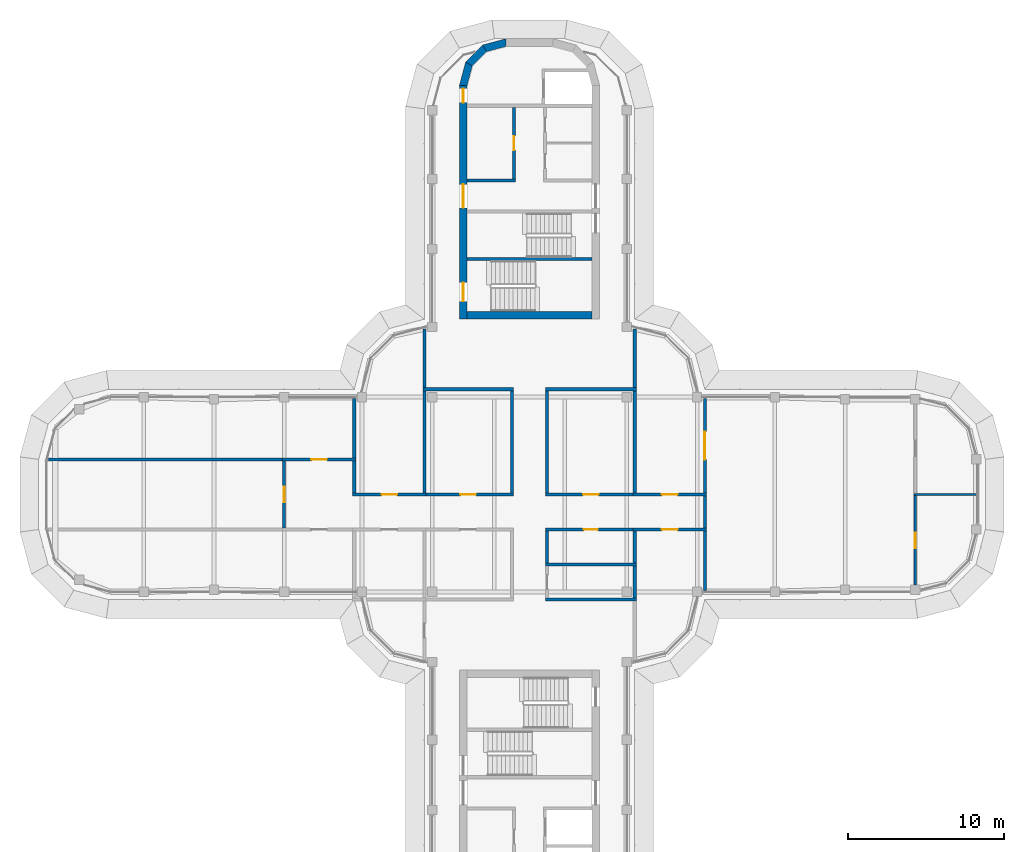
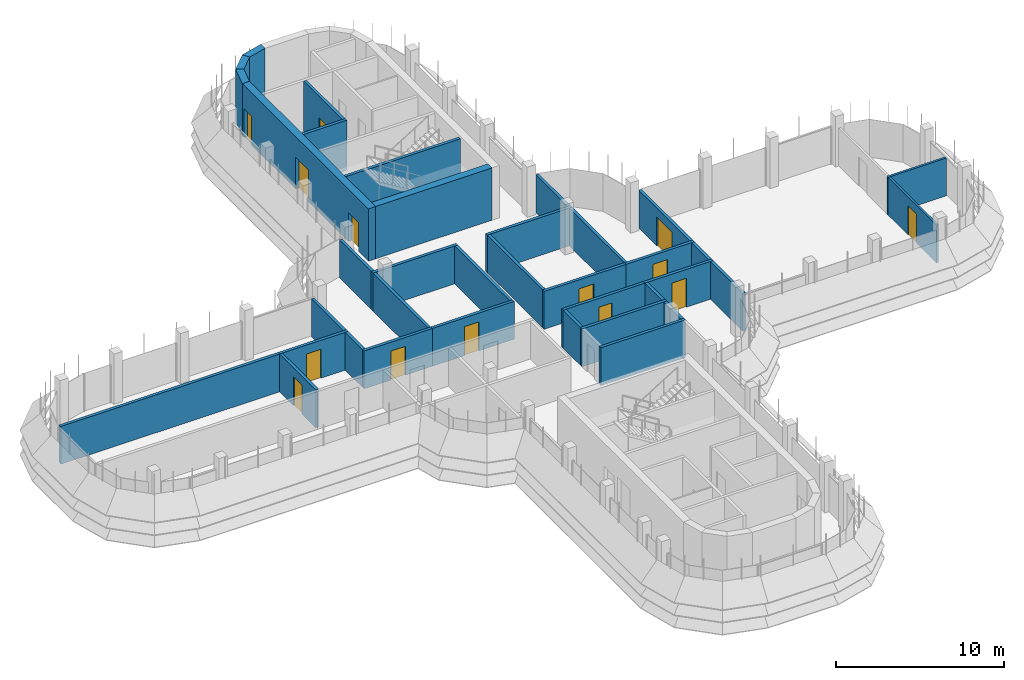
# One storey, part 14 of 19: 37 walls, 14 doors, 14 openings.
"""IFC4 building model written with IfcOpenShell, lengths in metres."""

import ifcopenshell
import ifcopenshell.guid

model = None  # the IFC model being written
_history = None  # IfcOwnerHistory: only IFC2X3 demands one
_inside = {}  # id of a spatial element -> (the spatial element, [elements in it])
_under = {}  # id of a project, library or spatial element -> (it, [spatial elements below it])
_declared = {}  # id of a project -> (the project, [libraries it declares])
_typed = {}  # id of a type object -> (the type object, [elements of that type])
_made_of = {}  # id of a material, layer set ... -> (it, [elements and type objects made of it])


def new_model(schema):
    """Start an empty IFC model of exactly this schema.

    Asked for "IFC4X3", IfcOpenShell would pick the latest addendum, in which some entities
    have other attributes; the version numbers below select the first issue.
    IFC2X3 requires an IfcOwnerHistory on every rooted entity: one is made here for all.
    """
    global model, _history
    if schema == "IFC4X3":
        model = ifcopenshell.file(schema_version=(4, 3, 0, 0))
    else:
        model = ifcopenshell.file(schema=schema)
    _inside.clear()
    _under.clear()
    _declared.clear()
    _typed.clear()
    _made_of.clear()
    _history = None
    if model.schema == "IFC2X3":
        org = make("IfcOrganization", Name="unknown")
        user = make(
            "IfcPersonAndOrganization",
            ThePerson=make("IfcPerson", FamilyName="unknown"),
            TheOrganization=org,
        )
        app = make(
            "IfcApplication",
            ApplicationDeveloper=org,
            Version="unknown",
            ApplicationFullName="unknown",
            ApplicationIdentifier="unknown",
        )
        _history = make(
            "IfcOwnerHistory",
            OwningUser=user,
            OwningApplication=app,
            ChangeAction="ADDED",
            CreationDate=0,
        )
    return model


def make(cls, **values):
    """One entity of the class cls with the attributes given. An attribute that is None is left unset."""
    return model.create_entity(
        cls, **{name: value for name, value in values.items() if value is not None}
    )


def rooted(cls, **values):
    """An entity with a GlobalId (a new one), such as an element, a storey or a relation."""
    return make(cls, GlobalId=ifcopenshell.guid.new(), OwnerHistory=_history, **values)


def si_unit(unit_type, name, prefix=None):
    """IfcSIUnit, for example si_unit("LENGTHUNIT", "METRE", prefix="MILLI")."""
    return make("IfcSIUnit", UnitType=unit_type, Prefix=prefix, Name=name)


def assignment(units):
    """IfcUnitAssignment: the units of a project."""
    return None if units is None else make("IfcUnitAssignment", Units=units)


def point(xyz):
    """IfcCartesianPoint."""
    return None if xyz is None else make("IfcCartesianPoint", Coordinates=xyz)


def direction(xyz):
    """IfcDirection."""
    return None if xyz is None else make("IfcDirection", DirectionRatios=xyz)


def frame(location, z_axis=None, x_axis=None):
    """IfcAxis2Placement3D, a coordinate frame: its origin and axes. An axis left out is left unset."""
    return make(
        "IfcAxis2Placement3D",
        Location=point(location),
        Axis=direction(z_axis),
        RefDirection=direction(x_axis),
    )


def frame_2d(location, x_axis=None):
    """IfcAxis2Placement2D, a coordinate frame in the plane: its origin and x axis."""
    return make(
        "IfcAxis2Placement2D", Location=point(location), RefDirection=direction(x_axis)
    )


def origin():
    """The frame at (0, 0, 0) with its axes left unset."""
    return frame((0.0, 0.0, 0.0))


def place(relative_to, where):
    """IfcLocalPlacement: puts the frame where relative to a parent placement (None: the world)."""
    return make(
        "IfcLocalPlacement", PlacementRelTo=relative_to, RelativePlacement=where
    )


def context(
    kind, dimensions, precision=None, world=None, true_north=None, identifier=None
):
    """IfcGeometricRepresentationContext, for example the 3D "Model" context."""
    return make(
        "IfcGeometricRepresentationContext",
        ContextIdentifier=identifier,
        ContextType=kind,
        CoordinateSpaceDimension=dimensions,
        Precision=precision,
        WorldCoordinateSystem=world,
        TrueNorth=true_north,
    )


def subcontext(parent, identifier, kind, view, scale=None):
    """IfcGeometricRepresentationSubContext, for example "Body" below "Model"."""
    return make(
        "IfcGeometricRepresentationSubContext",
        ContextIdentifier=identifier,
        ContextType=kind,
        ParentContext=parent,
        TargetScale=scale,
        TargetView=view,
    )


def project(units=None, contexts=None):
    """IfcProject with its units and contexts."""
    return rooted(
        "IfcProject",
        Name="project",
        RepresentationContexts=contexts,
        UnitsInContext=assignment(units),
    )


def spatial(cls, under=None, at=None, **own):
    """A site, building, storey or space (cls), placed at a placement, below another one or the project."""
    s = rooted(cls, ObjectPlacement=at, **own)
    if under is not None:
        _under.setdefault(under.id(), (under, []))[1].append(s)
    return s


def polyline(points):
    """IfcPolyline through the points."""
    return make("IfcPolyline", Points=[point(p) for p in points])


def profile(cls, at=None, kind="AREA", **sizes):
    """A parametric profile (cls). Its sizes go by their IFC names, for example OverallWidth=200.0."""
    return make(cls, ProfileType=kind, Position=at, **sizes)


def rectangle(**sizes):
    """IfcRectangleProfileDef."""
    return profile("IfcRectangleProfileDef", **sizes)


def outline(outer, holes=None, kind="AREA"):
    """IfcArbitraryClosedProfileDef: a profile drawn as a closed curve; with holes, ...WithVoids."""
    if holes is None:
        return make("IfcArbitraryClosedProfileDef", ProfileType=kind, OuterCurve=outer)
    return make(
        "IfcArbitraryProfileDefWithVoids",
        ProfileType=kind,
        OuterCurve=outer,
        InnerCurves=holes,
    )


def extrude(swept, where, along, depth):
    """IfcExtrudedAreaSolid: the profile swept, set in the frame where, extruded along a direction by depth."""
    return make(
        "IfcExtrudedAreaSolid",
        SweptArea=swept,
        Position=where,
        ExtrudedDirection=direction(along),
        Depth=depth,
    )


def shape(context_of_items, identifier, shape_type, items):
    """IfcShapeRepresentation: the items that make up one representation, for example the "Body"."""
    return make(
        "IfcShapeRepresentation",
        ContextOfItems=context_of_items,
        RepresentationIdentifier=identifier,
        RepresentationType=shape_type,
        Items=items,
    )


def material(Name=None, Category=None):
    """IfcMaterial."""
    return make("IfcMaterial", Name=Name, Category=Category)


def layer(
    of_material, thickness, ventilated=None, Name=None, Category=None, Priority=None
):
    """IfcMaterialLayer: one layer of a wall or slab, of a material (None: an air gap)."""
    return make(
        "IfcMaterialLayer",
        Material=of_material,
        LayerThickness=thickness,
        IsVentilated=ventilated,
        Name=Name,
        Category=Category,
        Priority=Priority,
    )


def layer_set(layers, Name=None):
    """IfcMaterialLayerSet."""
    return make("IfcMaterialLayerSet", MaterialLayers=layers, LayerSetName=Name)


def made_of(thing, what):
    """Note that an element or type object is made of a material, layer set ...; save() writes the relation."""
    if what is not None:
        _made_of.setdefault(what.id(), (what, []))[1].append(thing)
    return thing


def type_object(cls, material=None, **own):
    """A type object (cls), such as IfcWallType, which elements share."""
    return made_of(rooted(cls, **own), material)


def element(
    cls,
    number,
    at=None,
    inside=None,
    cuts=None,
    type_object=None,
    material=None,
    context=None,
    identifier="Body",
    shape_type=None,
    held_by="IfcProductDefinitionShape",
    body=None,
    shapes=None,
    **own,
):
    """One element of the class cls, such as IfcWall. Its Tag is "e" and its number.

    at: its placement. inside: the storey or other place that contains it. cuts: it is an
    opening in that element (IfcRelVoidsElement). A single representation is given by context,
    identifier, shape_type and body (its items); several are given by shapes. held_by: the class
    of the entity that holds the representations. save() writes the other relations.
    """
    e = rooted(cls, Tag="e%d" % number, ObjectPlacement=at, **own)
    if body is not None:
        shapes = [shape(context, identifier, shape_type, body)]
    if shapes is not None:
        e.Representation = make(held_by, Representations=shapes)
    if inside is not None:
        _inside.setdefault(inside.id(), (inside, []))[1].append(e)
    if cuts is not None:
        rooted(
            "IfcRelVoidsElement", RelatingBuildingElement=cuts, RelatedOpeningElement=e
        )
    if type_object is not None:
        _typed.setdefault(type_object.id(), (type_object, []))[1].append(e)
    return made_of(e, material)


def fill(opening, filler):
    """IfcRelFillsElement: the door or window that sits in an opening."""
    return rooted(
        "IfcRelFillsElement",
        RelatingOpeningElement=opening,
        RelatedBuildingElement=filler,
    )


def aggregate(whole, parts):
    """IfcRelAggregates: a whole, such as a stair, and the parts it consists of."""
    return rooted("IfcRelAggregates", RelatingObject=whole, RelatedObjects=parts)


def save(model, path):
    """Write the relations noted so far, then the file.

    IfcRelAggregates (storeys below a building ...), IfcRelContainedInSpatialStructure (elements
    in a storey), IfcRelDefinesByType, IfcRelAssociatesMaterial and IfcRelDeclares: one each for
    every whole, place, type object, material and project.
    """
    for whole, parts in _under.values():
        aggregate(whole, parts)
    for where, things in _inside.values():
        rooted(
            "IfcRelContainedInSpatialStructure",
            RelatedElements=things,
            RelatingStructure=where,
        )
    for kind, things in _typed.values():
        rooted("IfcRelDefinesByType", RelatedObjects=things, RelatingType=kind)
    for what, things in _made_of.values():
        rooted("IfcRelAssociatesMaterial", RelatedObjects=things, RelatingMaterial=what)
    for by, libraries in _declared.values():
        rooted("IfcRelDeclares", RelatingContext=by, RelatedDefinitions=libraries)
    model.write(path)


model = new_model("IFC4")

# Units and contexts
model_context = context("Model", 3, precision=1e-05, world=origin(), true_north=direction((0.0, 1.0)))
body_context = subcontext(model_context, "Body", "Model", "MODEL_VIEW")
ifc_project = project(units=[si_unit("LENGTHUNIT", "METRE"), si_unit("AREAUNIT", "SQUARE_METRE"), si_unit("VOLUMEUNIT", "CUBIC_METRE"), si_unit("PLANEANGLEUNIT", "RADIAN"), si_unit("MASSUNIT", "GRAM", prefix="KILO")], contexts=[model_context])

# Site, building, storey
site_placement = place(None, origin())
site = spatial("IfcSite", under=ifc_project, at=site_placement, CompositionType="ELEMENT")
building_placement = place(site_placement, origin())
building = spatial("IfcBuilding", under=site, at=building_placement, Name="Zarbagh Exchange Tower", CompositionType="ELEMENT")
storey_placement = place(building_placement, frame((0.0, 0.0, 280.199951171875)))
storey = spatial("IfcBuildingStorey", under=building, at=storey_placement, Name="L69", CompositionType="ELEMENT", Elevation=280.199951171875)

# Wall, opening, door
ifc_material_1 = material(Name="Plasterboard partition")
ifc_layer_1 = layer(ifc_material_1, 0.14990234375)
ifc_layer_set_1 = layer_set([ifc_layer_1], Name="PARTITION 150")
wall_type_1 = type_object("IfcWallType", Name="PARTITION 150", PredefinedType="PARTITIONING", material=ifc_layer_set_1)
wall_1_placement = place(storey_placement, frame((24.75, -0.074951171875, 0.0), z_axis=(0.0, 0.0, 1.0), x_axis=(0.0, -1.0, 0.0)))
wall_1 = element("IfcWall", 1, at=wall_1_placement, inside=storey, type_object=wall_type_1, Name="Partition W-2936", PredefinedType="PARTITIONING", context=body_context, shape_type="SweptSolid", body=[
    extrude(rectangle(XDim=5.735107421875, YDim=0.14990234375, at=frame_2d((2.86767578125, 0.0))), origin(), (0.0, 0.0, 1.0), 2.75),
])
opening_1_placement = place(wall_1_placement, frame((2.367431640625, 0.0, 0.0)))
opening_1 = element("IfcOpeningElement", 2, at=opening_1_placement, cuts=wall_1, Name="Opening D-2902", PredefinedType="OPENING", context=body_context, shape_type="SweptSolid", body=[
    extrude(rectangle(XDim=1.0, YDim=2.10009765625, at=frame_2d((0.5, 1.050048828125))), frame((0.0, 0.0849609375, 0.0), z_axis=(0.0, -1.0, 0.0), x_axis=(1.0, 0.0, 0.0)), (0.0, 0.0, 1.0), 0.169921875),
])
ifc_material_2 = material(Name="Timber door leaf", Category="wood")
door_type_1 = type_object("IfcDoorType", Name="DOOR 1000 X 2100", OperationType="NOTDEFINED", PredefinedType="DOOR", material=ifc_material_2)
door_1_placement = place(opening_1_placement, origin())
door_1 = element("IfcDoor", 3, at=door_1_placement, inside=storey, type_object=door_type_1, Name="Door D-2902", OperationType="SINGLE_SWING_RIGHT", OverallHeight=2.10009765625, OverallWidth=1.0, PredefinedType="DOOR", context=body_context, shape_type="SweptSolid", body=[
    extrude(rectangle(XDim=1.0, YDim=2.10009765625, at=frame_2d((0.5, 1.050048828125))), frame((0.0, 0.02490234375, 0.0), z_axis=(0.0, -1.0, 0.0), x_axis=(1.0, 0.0, 0.0)), (0.0, 0.0, 1.0), 0.050048828125),
])
fill(opening_1, door_1)

# Wall
wall_2_placement = place(storey_placement, frame((24.675048828125, 0.0, 0.0), z_axis=(0.0, 0.0, 1.0), x_axis=(1.0, 0.0, 0.0)))
element("IfcWall", 4, at=wall_2_placement, inside=storey, type_object=wall_type_1, Name="Partition W-2937", PredefinedType="PARTITIONING", context=body_context, shape_type="SweptSolid", body=[
    extrude(rectangle(XDim=3.994873046875, YDim=0.14990234375, at=frame_2d((1.99755859375, 0.0))), origin(), (0.0, 0.0, 1.0), 2.75),
])

# Wall, opening, door
ifc_material_3 = material(Name="Fire-rated plasterboard partition")
ifc_layer_2 = layer(ifc_material_3, 0.199951171875)
ifc_layer_set_2 = layer_set([ifc_layer_2], Name="RATED PARTITION 200")
wall_type_2 = type_object("IfcWallType", Name="RATED PARTITION 200", PredefinedType="PARTITIONING", material=ifc_layer_set_2)
wall_3_placement = place(storey_placement, frame((1.02490234375, 0.0, 0.0), z_axis=(0.0, 0.0, 1.0), x_axis=(1.0, 0.0, 0.0)))
wall_3 = element("IfcWall", 5, at=wall_3_placement, inside=storey, type_object=wall_type_2, Name="Partition W-2901", PredefinedType="PARTITIONING", context=body_context, shape_type="SweptSolid", body=[
    extrude(rectangle(XDim=5.8251953125, YDim=0.199951171875, at=frame_2d((2.91259765625, 0.0))), origin(), (0.0, 0.0, 1.0), 2.75),
])
opening_2_placement = place(wall_3_placement, frame((2.41259765625, 0.0, 0.0)))
opening_2 = element("IfcOpeningElement", 6, at=opening_2_placement, cuts=wall_3, Name="Opening D-2904", PredefinedType="OPENING", context=body_context, shape_type="SweptSolid", body=[
    extrude(rectangle(XDim=1.0, YDim=2.10009765625, at=frame_2d((0.5, 1.050048828125))), frame((0.0, 0.10986328125, 0.0), z_axis=(0.0, -1.0, 0.0), x_axis=(1.0, 0.0, 0.0)), (0.0, 0.0, 1.0), 0.219970703125),
])
ifc_material_4 = material(Name="Steel door set", Category="steel")
door_type_2 = type_object("IfcDoorType", Name="FIRE DOOR 1000 X 2100 FD30S", OperationType="NOTDEFINED", PredefinedType="DOOR", material=ifc_material_4)
door_2_placement = place(opening_2_placement, origin())
door_2 = element("IfcDoor", 7, at=door_2_placement, inside=storey, type_object=door_type_2, Name="Door D-2904", OperationType="SINGLE_SWING_RIGHT", OverallHeight=2.10009765625, OverallWidth=1.0, PredefinedType="DOOR", context=body_context, shape_type="SweptSolid", body=[
    extrude(rectangle(XDim=1.0, YDim=2.10009765625, at=frame_2d((0.5, 1.050048828125))), frame((0.0, 0.02490234375, 0.0), z_axis=(0.0, -1.0, 0.0), x_axis=(1.0, 0.0, 0.0)), (0.0, 0.0, 1.0), 0.050048828125),
])
fill(opening_2, door_2)

wall_4_placement = place(storey_placement, frame((6.64990234375, 0.0, 0.0), z_axis=(0.0, 0.0, 1.0), x_axis=(1.0, 0.0, 0.0)))
wall_4 = element("IfcWall", 8, at=wall_4_placement, inside=storey, type_object=wall_type_2, Name="Partition W-2902", PredefinedType="PARTITIONING", context=body_context, shape_type="SweptSolid", body=[
    extrude(rectangle(XDim=4.7001953125, YDim=0.199951171875, at=frame_2d((2.35009765625, 0.0))), origin(), (0.0, 0.0, 1.0), 2.75),
])
opening_3_placement = place(wall_4_placement, frame((1.85009765625, 0.0, 0.0)))
opening_3 = element("IfcOpeningElement", 9, at=opening_3_placement, cuts=wall_4, Name="Opening D-2905", PredefinedType="OPENING", context=body_context, shape_type="SweptSolid", body=[
    extrude(rectangle(XDim=1.0, YDim=2.10009765625, at=frame_2d((0.5, 1.050048828125))), frame((0.0, 0.10986328125, 0.0), z_axis=(0.0, -1.0, 0.0), x_axis=(1.0, 0.0, 0.0)), (0.0, 0.0, 1.0), 0.219970703125),
])
door_3_placement = place(opening_3_placement, origin())
door_3 = element("IfcDoor", 10, at=door_3_placement, inside=storey, type_object=door_type_2, Name="Door D-2905", OperationType="SINGLE_SWING_RIGHT", OverallHeight=2.10009765625, OverallWidth=1.0, PredefinedType="DOOR", context=body_context, shape_type="SweptSolid", body=[
    extrude(rectangle(XDim=1.0, YDim=2.10009765625, at=frame_2d((0.5, 1.050048828125))), frame((0.0, 0.02490234375, 0.0), z_axis=(0.0, -1.0, 0.0), x_axis=(1.0, 0.0, 0.0)), (0.0, 0.0, 1.0), 0.050048828125),
])
fill(opening_3, door_3)

wall_5_placement = place(storey_placement, frame((-6.85009765625, 0.0, 0.0), z_axis=(0.0, 0.0, 1.0), x_axis=(1.0, 0.0, 0.0)))
wall_5 = element("IfcWall", 11, at=wall_5_placement, inside=storey, type_object=wall_type_2, Name="Partition W-2903", PredefinedType="PARTITIONING", context=body_context, shape_type="SweptSolid", body=[
    extrude(rectangle(XDim=5.8251953125, YDim=0.199951171875, at=frame_2d((2.91259765625, 0.0))), origin(), (0.0, 0.0, 1.0), 2.75),
])
opening_4_placement = place(wall_5_placement, frame((2.41259765625, 0.0, 0.0)))
opening_4 = element("IfcOpeningElement", 12, at=opening_4_placement, cuts=wall_5, Name="Opening D-2906", PredefinedType="OPENING", context=body_context, shape_type="SweptSolid", body=[
    extrude(rectangle(XDim=1.0, YDim=2.10009765625, at=frame_2d((0.5, 1.050048828125))), frame((0.0, 0.10986328125, 0.0), z_axis=(0.0, -1.0, 0.0), x_axis=(1.0, 0.0, 0.0)), (0.0, 0.0, 1.0), 0.219970703125),
])
door_4_placement = place(opening_4_placement, origin())
door_4 = element("IfcDoor", 13, at=door_4_placement, inside=storey, type_object=door_type_2, Name="Door D-2906", OperationType="SINGLE_SWING_RIGHT", OverallHeight=2.10009765625, OverallWidth=1.0, PredefinedType="DOOR", context=body_context, shape_type="SweptSolid", body=[
    extrude(rectangle(XDim=1.0, YDim=2.10009765625, at=frame_2d((0.5, 1.050048828125))), frame((0.0, 0.02490234375, 0.0), z_axis=(0.0, -1.0, 0.0), x_axis=(1.0, 0.0, 0.0)), (0.0, 0.0, 1.0), 0.050048828125),
])
fill(opening_4, door_4)

wall_6_placement = place(storey_placement, frame((-11.35009765625, 0.0, 0.0), z_axis=(0.0, 0.0, 1.0), x_axis=(1.0, 0.0, 0.0)))
wall_6 = element("IfcWall", 14, at=wall_6_placement, inside=storey, type_object=wall_type_2, Name="Partition W-2904", PredefinedType="PARTITIONING", context=body_context, shape_type="SweptSolid", body=[
    extrude(rectangle(XDim=4.7001953125, YDim=0.199951171875, at=frame_2d((2.35009765625, 0.0))), origin(), (0.0, 0.0, 1.0), 2.75),
])
opening_5_placement = place(wall_6_placement, frame((1.85009765625, 0.0, 0.0)))
opening_5 = element("IfcOpeningElement", 15, at=opening_5_placement, cuts=wall_6, Name="Opening D-2907", PredefinedType="OPENING", context=body_context, shape_type="SweptSolid", body=[
    extrude(rectangle(XDim=1.0, YDim=2.10009765625, at=frame_2d((0.5, 1.050048828125))), frame((0.0, 0.10986328125, 0.0), z_axis=(0.0, -1.0, 0.0), x_axis=(1.0, 0.0, 0.0)), (0.0, 0.0, 1.0), 0.219970703125),
])
door_5_placement = place(opening_5_placement, origin())
door_5 = element("IfcDoor", 16, at=door_5_placement, inside=storey, type_object=door_type_2, Name="Door D-2907", OperationType="SINGLE_SWING_RIGHT", OverallHeight=2.10009765625, OverallWidth=1.0, PredefinedType="DOOR", context=body_context, shape_type="SweptSolid", body=[
    extrude(rectangle(XDim=1.0, YDim=2.10009765625, at=frame_2d((0.5, 1.050048828125))), frame((0.0, 0.02490234375, 0.0), z_axis=(0.0, -1.0, 0.0), x_axis=(1.0, 0.0, 0.0)), (0.0, 0.0, 1.0), 0.050048828125),
])
fill(opening_5, door_5)

wall_7_placement = place(storey_placement, frame((6.85009765625, -2.25, 0.0), z_axis=(0.0, 0.0, 1.0), x_axis=(-1.0, 0.0, 0.0)))
wall_7 = element("IfcWall", 17, at=wall_7_placement, inside=storey, type_object=wall_type_2, Name="Partition W-2905", PredefinedType="PARTITIONING", context=body_context, shape_type="SweptSolid", body=[
    extrude(rectangle(XDim=5.8251953125, YDim=0.199951171875, at=frame_2d((2.91259765625, 0.0))), origin(), (0.0, 0.0, 1.0), 2.75),
])
opening_6_placement = place(wall_7_placement, frame((2.46240234375, 0.0, 0.0)))
opening_6 = element("IfcOpeningElement", 18, at=opening_6_placement, cuts=wall_7, Name="Opening D-2908", PredefinedType="OPENING", context=body_context, shape_type="SweptSolid", body=[
    extrude(rectangle(XDim=0.89990234375, YDim=2.10009765625, at=frame_2d((0.449951171875, 1.050048828125))), frame((0.0, 0.10986328125, 0.0), z_axis=(0.0, -1.0, 0.0), x_axis=(1.0, 0.0, 0.0)), (0.0, 0.0, 1.0), 0.219970703125),
])
door_type_3 = type_object("IfcDoorType", Name="DOOR 900 X 2100", OperationType="NOTDEFINED", PredefinedType="DOOR", material=ifc_material_2)
door_6_placement = place(opening_6_placement, origin())
door_6 = element("IfcDoor", 19, at=door_6_placement, inside=storey, type_object=door_type_3, Name="Door D-2908", OperationType="SINGLE_SWING_RIGHT", OverallHeight=2.10009765625, OverallWidth=0.89990234375, PredefinedType="DOOR", context=body_context, shape_type="SweptSolid", body=[
    extrude(rectangle(XDim=0.89990234375, YDim=2.10009765625, at=frame_2d((0.449951171875, 1.050048828125))), frame((0.0, 0.02490234375, 0.0), z_axis=(0.0, -1.0, 0.0), x_axis=(1.0, 0.0, 0.0)), (0.0, 0.0, 1.0), 0.050048828125),
])
fill(opening_6, door_6)

wall_8_placement = place(storey_placement, frame((11.35009765625, -2.25, 0.0), z_axis=(0.0, 0.0, 1.0), x_axis=(-1.0, 0.0, 0.0)))
wall_8 = element("IfcWall", 20, at=wall_8_placement, inside=storey, type_object=wall_type_2, Name="Partition W-2906", PredefinedType="PARTITIONING", context=body_context, shape_type="SweptSolid", body=[
    extrude(rectangle(XDim=4.7001953125, YDim=0.199951171875, at=frame_2d((2.35009765625, 0.0))), origin(), (0.0, 0.0, 1.0), 2.75),
])
opening_7_placement = place(wall_8_placement, frame((1.85009765625, 0.0, 0.0)))
opening_7 = element("IfcOpeningElement", 21, at=opening_7_placement, cuts=wall_8, Name="Opening D-2910", PredefinedType="OPENING", context=body_context, shape_type="SweptSolid", body=[
    extrude(rectangle(XDim=1.0, YDim=2.10009765625, at=frame_2d((0.5, 1.050048828125))), frame((0.0, 0.10986328125, 0.0), z_axis=(0.0, -1.0, 0.0), x_axis=(1.0, 0.0, 0.0)), (0.0, 0.0, 1.0), 0.219970703125),
])
door_7_placement = place(opening_7_placement, origin())
door_7 = element("IfcDoor", 22, at=door_7_placement, inside=storey, type_object=door_type_2, Name="Door D-2910", OperationType="SINGLE_SWING_RIGHT", OverallHeight=2.10009765625, OverallWidth=1.0, PredefinedType="DOOR", context=body_context, shape_type="SweptSolid", body=[
    extrude(rectangle(XDim=1.0, YDim=2.10009765625, at=frame_2d((0.5, 1.050048828125))), frame((0.0, 0.02490234375, 0.0), z_axis=(0.0, -1.0, 0.0), x_axis=(1.0, 0.0, 0.0)), (0.0, 0.0, 1.0), 0.050048828125),
])
fill(opening_7, door_7)

# Walls
wall_9_placement = place(storey_placement, frame((11.25, -2.14990234375, 0.0), z_axis=(0.0, 0.0, 1.0), x_axis=(0.0, 1.0, 0.0)))
element("IfcWall", 23, at=wall_9_placement, inside=storey, type_object=wall_type_2, Name="Partition W-2909", PredefinedType="PARTITIONING", context=body_context, shape_type="SweptSolid", body=[
    extrude(rectangle(XDim=2.0498046875, YDim=0.199951171875, at=frame_2d((1.02490234375, 0.0))), origin(), (0.0, 0.0, 1.0), 2.75),
])
for number, where, z_axis, x_axis, name in (
    (24, (1.125, 0.10009765625, 0.0), (0.0, 0.0, 1.0), (0.0, 1.0, 0.0), "Partition W-2910"),
    (25, (-1.125, 0.10009765625, 0.0), (0.0, 0.0, 1.0), (0.0, 1.0, 0.0), "Partition W-2911"),
):
    element("IfcWall", number, at=place(storey_placement, frame(where, z_axis=z_axis, x_axis=x_axis)), inside=storey, type_object=wall_type_2, Name=name, PredefinedType="PARTITIONING", context=body_context, shape_type="SweptSolid", body=[
        extrude(rectangle(XDim=6.5498046875, YDim=0.199951171875, at=frame_2d((3.27490234375, 0.0))), origin(), (0.0, 0.0, 1.0), 2.75),
    ])
wall_10_placement = place(storey_placement, frame((1.125, -4.39990234375, 0.0), z_axis=(0.0, 0.0, 1.0), x_axis=(0.0, 1.0, 0.0)))
element("IfcWall", 26, at=wall_10_placement, inside=storey, type_object=wall_type_2, Name="Partition W-2912", PredefinedType="PARTITIONING", context=body_context, shape_type="SweptSolid", body=[
    extrude(rectangle(XDim=2.0498046875, YDim=0.199951171875, at=frame_2d((1.02490234375, 0.0))), origin(), (0.0, 0.0, 1.0), 2.75),
])
wall_11_placement = place(storey_placement, frame((1.02490234375, 6.75, 0.0), z_axis=(0.0, 0.0, 1.0), x_axis=(1.0, 0.0, 0.0)))
element("IfcWall", 27, at=wall_11_placement, inside=storey, type_object=wall_type_2, Name="Partition W-2915", PredefinedType="PARTITIONING", context=body_context, shape_type="SweptSolid", body=[
    extrude(rectangle(XDim=5.8251953125, YDim=0.199951171875, at=frame_2d((2.91259765625, 0.0))), origin(), (0.0, 0.0, 1.0), 2.75),
])
wall_12_placement = place(storey_placement, frame((6.75, 6.85009765625, 0.0), z_axis=(0.0, 0.0, 1.0), x_axis=(0.0, 1.0, 0.0)))
element("IfcWall", 28, at=wall_12_placement, inside=storey, type_object=wall_type_2, Name="Partition W-2916", PredefinedType="PARTITIONING", context=body_context, shape_type="SweptSolid", body=[
    extrude(rectangle(XDim=3.77978515625, YDim=0.199951171875, at=frame_2d((1.889892578125, 0.0))), origin(), (0.0, 0.0, 1.0), 2.75),
])
wall_13_placement = place(storey_placement, frame((-6.85009765625, 6.75, 0.0), z_axis=(0.0, 0.0, 1.0), x_axis=(1.0, 0.0, 0.0)))
element("IfcWall", 29, at=wall_13_placement, inside=storey, type_object=wall_type_2, Name="Partition W-2917", PredefinedType="PARTITIONING", context=body_context, shape_type="SweptSolid", body=[
    extrude(rectangle(XDim=5.8251953125, YDim=0.199951171875, at=frame_2d((2.91259765625, 0.0))), origin(), (0.0, 0.0, 1.0), 2.75),
])
wall_14_placement = place(storey_placement, frame((-6.75, 6.85009765625, 0.0), z_axis=(0.0, 0.0, 1.0), x_axis=(0.0, 1.0, 0.0)))
element("IfcWall", 30, at=wall_14_placement, inside=storey, type_object=wall_type_2, Name="Partition W-2918", PredefinedType="PARTITIONING", context=body_context, shape_type="SweptSolid", body=[
    extrude(rectangle(XDim=3.77978515625, YDim=0.199951171875, at=frame_2d((1.889892578125, 0.0))), origin(), (0.0, 0.0, 1.0), 2.75),
])
wall_15_placement = place(storey_placement, frame((1.02490234375, -6.75, 0.0), z_axis=(0.0, 0.0, 1.0), x_axis=(1.0, 0.0, 0.0)))
element("IfcWall", 31, at=wall_15_placement, inside=storey, type_object=wall_type_2, Name="Partition W-2919", PredefinedType="PARTITIONING", context=body_context, shape_type="SweptSolid", body=[
    extrude(rectangle(XDim=5.8251953125, YDim=0.199951171875, at=frame_2d((2.91259765625, 0.0))), origin(), (0.0, 0.0, 1.0), 2.75),
])
wall_16_placement = place(storey_placement, frame((6.75, 0.10009765625, 0.0), z_axis=(0.0, 0.0, 1.0), x_axis=(0.0, 1.0, 0.0)))
element("IfcWall", 32, at=wall_16_placement, inside=storey, type_object=wall_type_2, Name="Partition W-2923", PredefinedType="PARTITIONING", context=body_context, shape_type="SweptSolid", body=[
    extrude(rectangle(XDim=6.5498046875, YDim=0.199951171875, at=frame_2d((3.27490234375, 0.0))), origin(), (0.0, 0.0, 1.0), 2.75),
])

# Wall, opening, door
wall_17_placement = place(storey_placement, frame((11.25, 6.169921875, 0.0), z_axis=(0.0, 0.0, 1.0), x_axis=(0.0, -1.0, 0.0)))
wall_17 = element("IfcWall", 33, at=wall_17_placement, inside=storey, type_object=wall_type_2, Name="Partition W-2924", PredefinedType="PARTITIONING", context=body_context, shape_type="SweptSolid", body=[
    extrude(rectangle(XDim=6.06982421875, YDim=0.199951171875, at=frame_2d((3.034912109375, 0.0))), origin(), (0.0, 0.0, 1.0), 2.75),
])
opening_8_placement = place(wall_17_placement, frame((2.135009765625, 0.0, 0.0)))
opening_8 = element("IfcOpeningElement", 34, at=opening_8_placement, cuts=wall_17, Name="Opening D-2903", PredefinedType="OPENING", context=body_context, shape_type="SweptSolid", body=[
    extrude(rectangle(XDim=1.800048828125, YDim=2.10009765625, at=frame_2d((0.89990234375, 1.050048828125))), frame((0.0, 0.10986328125, 0.0), z_axis=(0.0, -1.0, 0.0), x_axis=(1.0, 0.0, 0.0)), (0.0, 0.0, 1.0), 0.219970703125),
])
door_type_4 = type_object("IfcDoorType", Name="FIRE DOUBLE DOOR 1800 X 2100 FD30S", OperationType="DOUBLE_DOOR_SINGLE_SWING", PredefinedType="DOOR", material=ifc_material_4)
door_8_placement = place(opening_8_placement, origin())
door_8 = element("IfcDoor", 35, at=door_8_placement, inside=storey, type_object=door_type_4, Name="Door D-2903", OperationType="DOUBLE_DOOR_SINGLE_SWING", OverallHeight=2.10009765625, OverallWidth=1.800048828125, PredefinedType="DOOR", context=body_context, shape_type="SweptSolid", body=[
    extrude(rectangle(XDim=1.800048828125, YDim=2.10009765625, at=frame_2d((0.89990234375, 1.050048828125))), frame((0.0, 0.02490234375, 0.0), z_axis=(0.0, -1.0, 0.0), x_axis=(1.0, 0.0, 0.0)), (0.0, 0.0, 1.0), 0.050048828125),
])
fill(opening_8, door_8)

# Walls
wall_18_placement = place(storey_placement, frame((-6.75, 0.10009765625, 0.0), z_axis=(0.0, 0.0, 1.0), x_axis=(0.0, 1.0, 0.0)))
element("IfcWall", 36, at=wall_18_placement, inside=storey, type_object=wall_type_2, Name="Partition W-2925", PredefinedType="PARTITIONING", context=body_context, shape_type="SweptSolid", body=[
    extrude(rectangle(XDim=6.5498046875, YDim=0.199951171875, at=frame_2d((3.27490234375, 0.0))), origin(), (0.0, 0.0, 1.0), 2.75),
])
wall_19_placement = place(storey_placement, frame((-11.25, 0.10009765625, 0.0), z_axis=(0.0, 0.0, 1.0), x_axis=(0.0, 1.0, 0.0)))
element("IfcWall", 37, at=wall_19_placement, inside=storey, type_object=wall_type_2, Name="Partition W-2926", PredefinedType="PARTITIONING", context=body_context, shape_type="SweptSolid", body=[
    extrude(rectangle(XDim=2.0498046875, YDim=0.199951171875, at=frame_2d((1.02490234375, 0.0))), origin(), (0.0, 0.0, 1.0), 2.75),
])
wall_20_placement = place(storey_placement, frame((-11.25, 2.35009765625, 0.0), z_axis=(0.0, 0.0, 1.0), x_axis=(0.0, 1.0, 0.0)))
element("IfcWall", 38, at=wall_20_placement, inside=storey, type_object=wall_type_2, Name="Partition W-2927", PredefinedType="PARTITIONING", context=body_context, shape_type="SweptSolid", body=[
    extrude(rectangle(XDim=3.81982421875, YDim=0.199951171875, at=frame_2d((1.909912109375, 0.0))), origin(), (0.0, 0.0, 1.0), 2.75),
])
wall_21_placement = place(storey_placement, frame((1.02490234375, -4.5, 0.0), z_axis=(0.0, 0.0, 1.0), x_axis=(1.0, 0.0, 0.0)))
element("IfcWall", 39, at=wall_21_placement, inside=storey, type_object=wall_type_2, Name="Partition W-2928", PredefinedType="PARTITIONING", context=body_context, shape_type="SweptSolid", body=[
    extrude(rectangle(XDim=5.8251953125, YDim=0.199951171875, at=frame_2d((2.91259765625, 0.0))), origin(), (0.0, 0.0, 1.0), 2.75),
])
for number, where, z_axis, x_axis, name in (
    (40, (6.75, -4.39990234375, 0.0), (0.0, 0.0, 1.0), (0.0, 1.0, 0.0), "Partition W-2929"),
    (41, (6.75, -6.64990234375, 0.0), (0.0, 0.0, 1.0), (0.0, 1.0, 0.0), "Partition W-2930"),
):
    element("IfcWall", number, at=place(storey_placement, frame(where, z_axis=z_axis, x_axis=x_axis)), inside=storey, type_object=wall_type_2, Name=name, PredefinedType="PARTITIONING", context=body_context, shape_type="SweptSolid", body=[
        extrude(rectangle(XDim=2.0498046875, YDim=0.199951171875, at=frame_2d((1.02490234375, 0.0))), origin(), (0.0, 0.0, 1.0), 2.75),
    ])
wall_22_placement = place(storey_placement, frame((11.25, -6.169921875, 0.0), z_axis=(0.0, 0.0, 1.0), x_axis=(0.0, 1.0, 0.0)))
element("IfcWall", 42, at=wall_22_placement, inside=storey, type_object=wall_type_2, Name="Partition W-2931", PredefinedType="PARTITIONING", context=body_context, shape_type="SweptSolid", body=[
    extrude(rectangle(XDim=3.81982421875, YDim=0.199951171875, at=frame_2d((1.909912109375, 0.0))), origin(), (0.0, 0.0, 1.0), 2.75),
])

# Wall, opening, door
wall_23_placement = place(storey_placement, frame((-15.85009765625, 2.25, 0.0), z_axis=(0.0, 0.0, 1.0), x_axis=(1.0, 0.0, 0.0)))
wall_23 = element("IfcWall", 43, at=wall_23_placement, inside=storey, type_object=wall_type_2, Name="Partition W-2938", PredefinedType="PARTITIONING", context=body_context, shape_type="SweptSolid", body=[
    extrude(rectangle(XDim=4.7001953125, YDim=0.199951171875, at=frame_2d((2.35009765625, 0.0))), origin(), (0.0, 0.0, 1.0), 2.75),
])
opening_9_placement = place(wall_23_placement, frame((1.85009765625, 0.0, 0.0)))
opening_9 = element("IfcOpeningElement", 44, at=opening_9_placement, cuts=wall_23, Name="Opening D-2915", PredefinedType="OPENING", context=body_context, shape_type="SweptSolid", body=[
    extrude(rectangle(XDim=1.0, YDim=2.10009765625, at=frame_2d((0.5, 1.050048828125))), frame((0.0, 0.10986328125, 0.0), z_axis=(0.0, -1.0, 0.0), x_axis=(1.0, 0.0, 0.0)), (0.0, 0.0, 1.0), 0.219970703125),
])
door_9_placement = place(opening_9_placement, origin())
door_9 = element("IfcDoor", 45, at=door_9_placement, inside=storey, type_object=door_type_2, Name="Door D-2915", OperationType="SINGLE_SWING_RIGHT", OverallHeight=2.10009765625, OverallWidth=1.0, PredefinedType="DOOR", context=body_context, shape_type="SweptSolid", body=[
    extrude(rectangle(XDim=1.0, YDim=2.10009765625, at=frame_2d((0.5, 1.050048828125))), frame((0.0, 0.02490234375, 0.0), z_axis=(0.0, -1.0, 0.0), x_axis=(1.0, 0.0, 0.0)), (0.0, 0.0, 1.0), 0.050048828125),
])
fill(opening_9, door_9)

wall_24_placement = place(storey_placement, frame((-15.75, -2.14990234375, 0.0), z_axis=(0.0, 0.0, 1.0), x_axis=(0.0, 1.0, 0.0)))
wall_24 = element("IfcWall", 46, at=wall_24_placement, inside=storey, type_object=wall_type_2, Name="Partition W-2940", PredefinedType="PARTITIONING", context=body_context, shape_type="SweptSolid", body=[
    extrude(rectangle(XDim=4.2998046875, YDim=0.199951171875, at=frame_2d((2.14990234375, 0.0))), origin(), (0.0, 0.0, 1.0), 2.75),
])
opening_10_placement = place(wall_24_placement, frame((1.64990234375, 0.0, 0.0)))
opening_10 = element("IfcOpeningElement", 47, at=opening_10_placement, cuts=wall_24, Name="Opening D-2914", PredefinedType="OPENING", context=body_context, shape_type="SweptSolid", body=[
    extrude(rectangle(XDim=1.0, YDim=2.10009765625, at=frame_2d((0.5, 1.050048828125))), frame((0.0, 0.10986328125, 0.0), z_axis=(0.0, -1.0, 0.0), x_axis=(1.0, 0.0, 0.0)), (0.0, 0.0, 1.0), 0.219970703125),
])
door_10_placement = place(opening_10_placement, origin())
door_10 = element("IfcDoor", 48, at=door_10_placement, inside=storey, type_object=door_type_2, Name="Door D-2914", OperationType="SINGLE_SWING_RIGHT", OverallHeight=2.10009765625, OverallWidth=1.0, PredefinedType="DOOR", context=body_context, shape_type="SweptSolid", body=[
    extrude(rectangle(XDim=1.0, YDim=2.10009765625, at=frame_2d((0.5, 1.050048828125))), frame((0.0, 0.02490234375, 0.0), z_axis=(0.0, -1.0, 0.0), x_axis=(1.0, 0.0, 0.0)), (0.0, 0.0, 1.0), 0.050048828125),
])
fill(opening_10, door_10)

# Walls
wall_25_placement = place(storey_placement, frame((-30.8798828125, 2.25, 0.0), z_axis=(0.0, 0.0, 1.0), x_axis=(1.0, 0.0, 0.0)))
element("IfcWall", 49, at=wall_25_placement, inside=storey, type_object=wall_type_2, Name="Partition W-2941", PredefinedType="PARTITIONING", context=body_context, shape_type="SweptSolid", body=[
    extrude(rectangle(XDim=15.22998046875, YDim=0.199951171875, at=frame_2d((7.614990234375, 0.0))), origin(), (0.0, 0.0, 1.0), 2.75),
])
ifc_material_5 = material(Name="Concrete C40/50", Category="concrete")
ifc_layer_3 = layer(ifc_material_5, 0.5)
ifc_layer_set_3 = layer_set([ifc_layer_3], Name="RC core corner wall 500 C40/50")
wall_type_3 = type_object("IfcWallType", Name="RC core corner wall 500 C40/50", PredefinedType="SHEAR", material=ifc_layer_set_3)
wall_26_placement = place(storey_placement, origin())
element("IfcWall", 50, at=wall_26_placement, inside=storey, type_object=wall_type_3, Name="CW10 core N corner W", PredefinedType="SHEAR", context=body_context, shape_type="SweptSolid", body=[
    extrude(outline(polyline([(-4.5, 26.25), (-4.09814453125, 27.75), (-3.6650390625, 27.5), (-4.0, 26.25), (-4.5, 26.25)])), origin(), (0.0, 0.0, 1.0), 3.800048828125),
])
wall_27_placement = place(storey_placement, origin())
element("IfcWall", 51, at=wall_27_placement, inside=storey, type_object=wall_type_3, Name="CW10 core N corner W", PredefinedType="SHEAR", context=body_context, shape_type="SweptSolid", body=[
    extrude(outline(polyline([(-4.09814453125, 27.75), (-3.0, 28.84814453125), (-2.75, 28.4150390625), (-3.6650390625, 27.5), (-4.09814453125, 27.75)])), origin(), (0.0, 0.0, 1.0), 3.800048828125),
])
wall_28_placement = place(storey_placement, origin())
element("IfcWall", 52, at=wall_28_placement, inside=storey, type_object=wall_type_3, Name="CW10 core N corner W", PredefinedType="SHEAR", context=body_context, shape_type="SweptSolid", body=[
    extrude(outline(polyline([(-3.0, 28.84814453125), (-1.5, 29.25), (-1.5, 28.75), (-2.75, 28.4150390625), (-3.0, 28.84814453125)])), origin(), (0.0, 0.0, 1.0), 3.800048828125),
])

# Wall, openings, doors
ifc_layer_4 = layer(ifc_material_5, 0.5)
ifc_layer_set_4 = layer_set([ifc_layer_4], Name="RC core wall 500 C40/50")
wall_type_4 = type_object("IfcWallType", Name="RC core wall 500 C40/50", PredefinedType="SHEAR", material=ifc_layer_set_4)
wall_29_placement = place(storey_placement, frame((-4.25, 11.25, 0.0), z_axis=(0.0, 0.0, 1.0), x_axis=(0.0, 1.0, 0.0)))
wall_29 = element("IfcWall", 53, at=wall_29_placement, inside=storey, type_object=wall_type_4, Name="CW9 core N W", PredefinedType="SHEAR", context=body_context, shape_type="SweptSolid", body=[
    extrude(rectangle(XDim=15.0, YDim=0.5, at=frame_2d((7.5, 0.0))), origin(), (0.0, 0.0, 1.0), 3.800048828125),
])
opening_11_placement = place(wall_29_placement, frame((7.14990234375, 0.0, 0.0)))
opening_11 = element("IfcOpeningElement", 54, at=opening_11_placement, cuts=wall_29, Name="Opening CD1-1500", PredefinedType="OPENING", context=body_context, shape_type="SweptSolid", body=[
    extrude(rectangle(XDim=1.5, YDim=2.300048828125, at=frame_2d((0.75, 1.14990234375))), frame((0.0, 0.260009765625, 0.0), z_axis=(0.0, -1.0, 0.0), x_axis=(1.0, 0.0, 0.0)), (0.0, 0.0, 1.0), 0.52001953125),
])
opening_12_placement = place(wall_29_placement, frame((13.89990234375, 0.0, 0.0)))
opening_12 = element("IfcOpeningElement", 55, at=opening_12_placement, cuts=wall_29, Name="Opening CD2-900", PredefinedType="OPENING", context=body_context, shape_type="SweptSolid", body=[
    extrude(rectangle(XDim=0.89990234375, YDim=2.10009765625, at=frame_2d((0.449951171875, 1.050048828125))), frame((0.0, 0.260009765625, 0.0), z_axis=(0.0, -1.0, 0.0), x_axis=(1.0, 0.0, 0.0)), (0.0, 0.0, 1.0), 0.52001953125),
])
opening_13_placement = place(wall_29_placement, frame((1.14990234375, 0.0, 0.0)))
opening_13 = element("IfcOpeningElement", 56, at=opening_13_placement, cuts=wall_29, Name="Opening SD1-1200", PredefinedType="OPENING", context=body_context, shape_type="SweptSolid", body=[
    extrude(rectangle(XDim=1.199951171875, YDim=2.10009765625, at=frame_2d((0.60009765625, 1.050048828125))), frame((0.0, 0.260009765625, 0.0), z_axis=(0.0, -1.0, 0.0), x_axis=(1.0, 0.0, 0.0)), (0.0, 0.0, 1.0), 0.52001953125),
])
ifc_material_6 = material(Name="Steel", Category="steel")
door_type_5 = type_object("IfcDoorType", Name="Exit stair door 1200 x 2100", OperationType="NOTDEFINED", PredefinedType="DOOR", material=ifc_material_6)
door_11_placement = place(opening_13_placement, origin())
door_11 = element("IfcDoor", 57, at=door_11_placement, inside=storey, type_object=door_type_5, Name="North core stair door ST2", OperationType="SINGLE_SWING_RIGHT", OverallHeight=2.10009765625, OverallWidth=1.199951171875, PredefinedType="DOOR", context=body_context, shape_type="SweptSolid", body=[
    extrude(rectangle(XDim=1.199951171875, YDim=2.10009765625, at=frame_2d((0.60009765625, 1.050048828125))), frame((0.0, 0.02490234375, 0.0), z_axis=(0.0, -1.0, 0.0), x_axis=(1.0, 0.0, 0.0)), (0.0, 0.0, 1.0), 0.050048828125),
])
fill(opening_13, door_11)
door_type_6 = type_object("IfcDoorType", Name="Firefighting lobby door 900 x 2100", OperationType="NOTDEFINED", PredefinedType="DOOR", material=ifc_material_6)
door_12_placement = place(opening_12_placement, origin())
door_12 = element("IfcDoor", 58, at=door_12_placement, inside=storey, type_object=door_type_6, Name="North core firefighting lobby door FF-W", OperationType="SINGLE_SWING_LEFT", OverallHeight=2.10009765625, OverallWidth=0.89990234375, PredefinedType="DOOR", context=body_context, shape_type="SweptSolid", body=[
    extrude(rectangle(XDim=0.89990234375, YDim=2.10009765625, at=frame_2d((0.449951171875, 1.050048828125))), frame((0.0, 0.02490234375, 0.0), z_axis=(0.0, -1.0, 0.0), x_axis=(1.0, 0.0, 0.0)), (0.0, 0.0, 1.0), 0.050048828125),
])
fill(opening_12, door_12)
door_type_7 = type_object("IfcDoorType", Name="Lift lobby double door 1500 x 2300", OperationType="NOTDEFINED", PredefinedType="DOOR", material=ifc_material_6)
door_13_placement = place(opening_11_placement, origin())
door_13 = element("IfcDoor", 59, at=door_13_placement, inside=storey, type_object=door_type_7, Name="North core lift lobby door LOBBY-W", OperationType="DOUBLE_DOOR_SINGLE_SWING", OverallHeight=2.300048828125, OverallWidth=1.5, PredefinedType="DOOR", context=body_context, shape_type="SweptSolid", body=[
    extrude(rectangle(XDim=1.5, YDim=2.300048828125, at=frame_2d((0.75, 1.14990234375))), frame((0.0, 0.02490234375, 0.0), z_axis=(0.0, -1.0, 0.0), x_axis=(1.0, 0.0, 0.0)), (0.0, 0.0, 1.0), 0.050048828125),
])
fill(opening_11, door_13)

# Walls
wall_30_placement = place(storey_placement, frame((-4.0, 11.5, 0.0), z_axis=(0.0, 0.0, 1.0), x_axis=(1.0, 0.0, 0.0)))
element("IfcWall", 60, at=wall_30_placement, inside=storey, type_object=wall_type_4, Name="CW9 core N inner end", PredefinedType="SHEAR", context=body_context, shape_type="SweptSolid", body=[
    extrude(rectangle(XDim=8.0, YDim=0.5, at=frame_2d((4.0, 0.0))), origin(), (0.0, 0.0, 1.0), 3.800048828125),
])
ifc_material_7 = material(Name="Dense blockwork", Category="masonry")
ifc_layer_5 = layer(ifc_material_7, 0.199951171875)
ifc_layer_set_5 = layer_set([ifc_layer_5], Name="Shaft wall 200 mm blockwork")
wall_type_5 = type_object("IfcWallType", Name="Shaft wall 200 mm blockwork", PredefinedType="PARTITIONING", material=ifc_layer_set_5)
wall_31_placement = place(storey_placement, frame((-4.0, 20.14990234375, 0.0), z_axis=(0.0, 0.0, 1.0), x_axis=(1.0, 0.0, 0.0)))
element("IfcWall", 61, at=wall_31_placement, inside=storey, type_object=wall_type_5, Name="North core shaft wall AB-W", PredefinedType="PARTITIONING", context=body_context, shape_type="SweptSolid", body=[
    extrude(rectangle(XDim=3.10009765625, YDim=0.199951171875, at=frame_2d((1.550048828125, 0.0))), origin(), (0.0, 0.0, 1.0), 3.650146484375),
])

# Wall, opening, door
wall_32_placement = place(storey_placement, frame((-1.0, 24.85009765625, 0.0), z_axis=(0.0, 0.0, 1.0), x_axis=(0.0, -1.0, 0.0)))
wall_32 = element("IfcWall", 62, at=wall_32_placement, inside=storey, type_object=wall_type_5, Name="North core shaft wall LW-W", PredefinedType="PARTITIONING", context=body_context, shape_type="SweptSolid", body=[
    extrude(rectangle(XDim=4.60009765625, YDim=0.199951171875, at=frame_2d((2.300048828125, 0.0))), origin(), (0.0, 0.0, 1.0), 3.650146484375),
])
opening_14_placement = place(wall_32_placement, frame((1.85009765625, 0.0, 0.0)))
opening_14 = element("IfcOpeningElement", 63, at=opening_14_placement, cuts=wall_32, Name="Opening CD3-900", PredefinedType="OPENING", context=body_context, shape_type="SweptSolid", body=[
    extrude(rectangle(XDim=0.89990234375, YDim=2.10009765625, at=frame_2d((0.449951171875, 1.050048828125))), frame((0.0, 0.10986328125, 0.0), z_axis=(0.0, -1.0, 0.0), x_axis=(1.0, 0.0, 0.0)), (0.0, 0.0, 1.0), 0.219970703125),
])
door_type_8 = type_object("IfcDoorType", Name="Core room door 900 x 2100", OperationType="NOTDEFINED", PredefinedType="DOOR", material=ifc_material_6)
door_14_placement = place(opening_14_placement, origin())
door_14 = element("IfcDoor", 64, at=door_14_placement, inside=storey, type_object=door_type_8, Name="North core Riser store door RD-W-0", OperationType="SINGLE_SWING_LEFT", OverallHeight=2.10009765625, OverallWidth=0.89990234375, PredefinedType="DOOR", context=body_context, shape_type="SweptSolid", body=[
    extrude(rectangle(XDim=0.89990234375, YDim=2.10009765625, at=frame_2d((0.449951171875, 1.050048828125))), frame((0.0, 0.02490234375, 0.0), z_axis=(0.0, -1.0, 0.0), x_axis=(1.0, 0.0, 0.0)), (0.0, 0.0, 1.0), 0.050048828125),
])
fill(opening_14, door_14)

# Wall
ifc_layer_6 = layer(ifc_material_5, 0.199951171875)
ifc_layer_set_6 = layer_set([ifc_layer_6], Name="Stair enclosure wall 200 mm RC C40/50")
wall_type_6 = type_object("IfcWallType", Name="Stair enclosure wall 200 mm RC C40/50", PredefinedType="SHEAR", material=ifc_layer_set_6)
wall_33_placement = place(storey_placement, frame((-4.0, 15.10009765625, 0.0), z_axis=(0.0, 0.0, 1.0), x_axis=(1.0, 0.0, 0.0)))
element("IfcWall", 65, at=wall_33_placement, inside=storey, type_object=wall_type_6, Name="North core stair wall ST12", PredefinedType="SHEAR", context=body_context, shape_type="SweptSolid", body=[
    extrude(rectangle(XDim=8.0, YDim=0.199951171875, at=frame_2d((4.0, 0.0))), origin(), (0.0, 0.0, 1.0), 3.650146484375),
])

save(model, "model.ifc")
